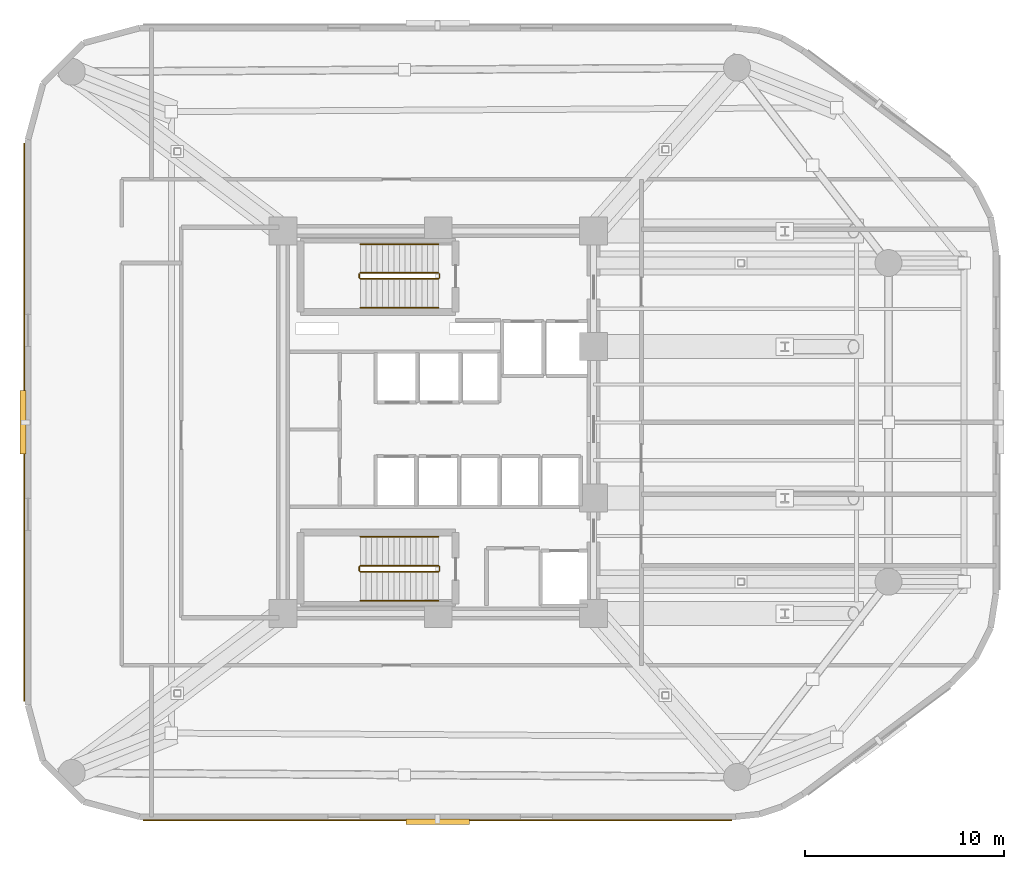
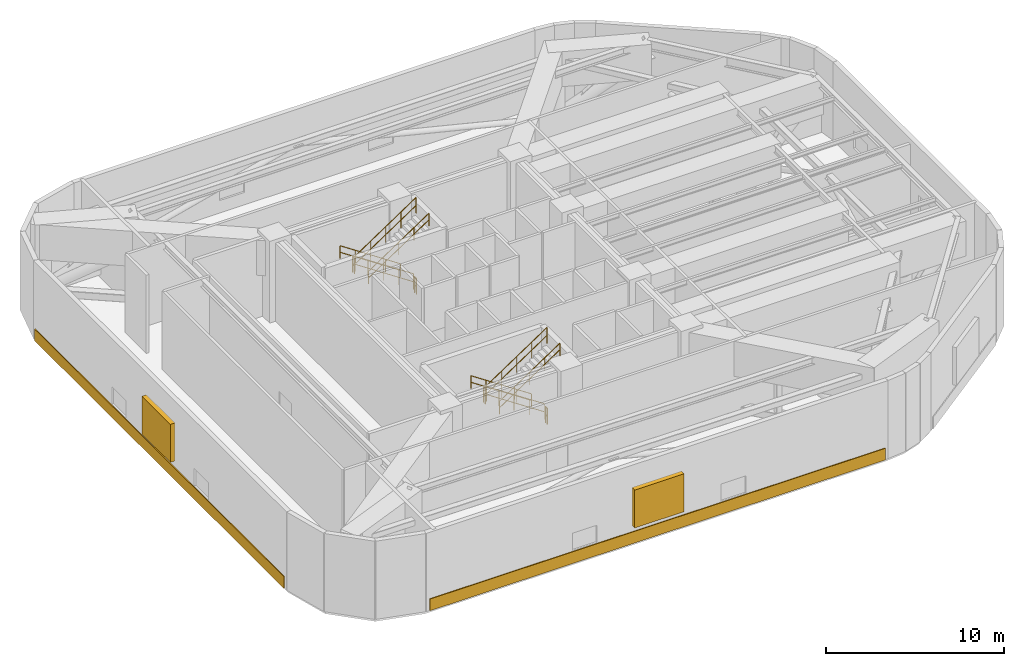
# One storey, part 9 of 10: 12 railings, 2 coverings, 2 shading devices.
"""IFC4 building model written with IfcOpenShell, lengths in metres."""

from ifc_helpers import new_model, si_unit, direction, frame, origin, origin_2d, place, context, subcontext, project, spatial, rectangle, circle, extrude, material, layer, layer_set, type_object, element, save


model = new_model("IFC4")

# Units and contexts
model_context = context("Model", 3, precision=1e-05, world=origin(), true_north=direction((0.0, 1.0)))
body_context = subcontext(model_context, "Body", "Model", "MODEL_VIEW")
ifc_project = project(units=[si_unit("LENGTHUNIT", "METRE"), si_unit("AREAUNIT", "SQUARE_METRE"), si_unit("VOLUMEUNIT", "CUBIC_METRE"), si_unit("PLANEANGLEUNIT", "RADIAN"), si_unit("MASSUNIT", "GRAM", prefix="KILO")], contexts=[model_context])

# Site, building, storey
site_placement = place(None, origin())
site = spatial("IfcSite", under=ifc_project, at=site_placement, CompositionType="ELEMENT")
building_placement = place(site_placement, origin())
building = spatial("IfcBuilding", under=site, at=building_placement, Name="An Khanh Terracotta Commons", CompositionType="ELEMENT")
storey_placement = place(building_placement, frame((0.0, 0.0, 133.10009765625)))
storey = spatial("IfcBuildingStorey", under=building, at=storey_placement, Name="L35", CompositionType="ELEMENT", Elevation=133.10009765625)

# Shading devices
ifc_material_1 = material(Name="Anodised Aluminium 6063-T6", Category="aluminium")
shading_device_type = type_object("IfcShadingDeviceType", Name="Acoustic Plant Weather Louvre", PredefinedType="USERDEFINED", material=ifc_material_1)
for number, where, z_axis, x_axis, name in (
    (1, (29.365966796875, 3.949951171875, 1.199951171875), (0.0, 0.0, 1.0), (1.0, 0.0, 0.0), "L35 Refuge Acoustic Louvre 4"),
    (2, (8.550048828125, 24.0, 1.199951171875), (0.0, 0.0, 1.0), (0.0, -1.0, 0.0), "L35 Refuge Acoustic Louvre 24"),
):
    element("IfcShadingDevice", number, at=place(storey_placement, frame(where, z_axis=z_axis, x_axis=x_axis)), inside=storey, type_object=shading_device_type, Name=name, ObjectType="LOUVRE", PredefinedType="USERDEFINED", context=body_context, shape_type="SweptSolid", body=[
        extrude(rectangle(XDim=3.199951171875, YDim=0.300048828125, at=origin_2d()), origin(), (0.0, 0.0, 1.0), 2.60009765625),
    ])

# Coverings
ifc_material_2 = material(Name="Fired Terracotta Rainscreen Cladding", Category="masonry")
ifc_layer = layer(ifc_material_2, 0.06005859375, Name="Fired Terracotta Rainscreen Cladding")
ifc_layer_set = layer_set([ifc_layer], Name="Fired Terracotta Rainscreen Cladding")
covering_type = type_object("IfcCoveringType", Name="COV-SPANDREL-TERRA", PredefinedType="CLADDING", material=ifc_layer_set)
covering_1_placement = place(storey_placement, frame((29.365966796875, 4.02001953125, 0.02001953125), z_axis=(0.0, 0.0, 1.0), x_axis=(1.0, 0.0, 0.0)))
element("IfcCovering", 3, at=covering_1_placement, inside=storey, type_object=covering_type, Name="L35 Terracotta Spandrel Cladding 4", PredefinedType="CLADDING", context=body_context, shape_type="SweptSolid", body=[
    extrude(rectangle(XDim=29.532958984375, YDim=0.06005859375, at=origin_2d()), origin(), (0.0, 0.0, 1.0), 0.800048828125),
])
covering_2_placement = place(storey_placement, frame((8.6201171875, 24.0, 0.02001953125), z_axis=(0.0, 0.0, 1.0), x_axis=(0.0, -1.0, 0.0)))
element("IfcCovering", 4, at=covering_2_placement, inside=storey, type_object=covering_type, Name="L35 Terracotta Spandrel Cladding 24", PredefinedType="CLADDING", context=body_context, shape_type="SweptSolid", body=[
    extrude(rectangle(XDim=28.0, YDim=0.06005859375, at=origin_2d()), origin(), (0.0, 0.0, 1.0), 0.800048828125),
])

# Railings
ifc_material_3 = material(Name="Brushed Stainless Steel 316", Category="steel")
railing_type_1 = type_object("IfcRailingType", Name="RAIL-HANDRAIL-900", PredefinedType="HANDRAIL", material=ifc_material_3)
railing_1_placement = place(storey_placement, frame((29.409912109375, 32.949951171875, 0.1865234375)))
element("IfcRailing", 5, at=railing_1_placement, inside=storey, type_object=railing_type_1, Name="L35 ST-01 stair handrail 1", PredefinedType="HANDRAIL", context=body_context, shape_type="SweptSolid", body=[
    extrude(circle(Radius=0.02392578125, at=origin_2d()), frame((0.0, 0.0, 0.8759765625), z_axis=(-0.832050294338, 0.0, 0.554700196225), x_axis=(0.0, -1.0, 0.0)), (0.0, 0.0, 1.0), 4.711181640625),
    extrude(circle(Radius=0.02392578125, at=origin_2d()), frame((0.0, 0.0, 0.42578125), z_axis=(-0.832050294338, 0.0, 0.554700196225), x_axis=(0.0, -1.0, 0.0)), (0.0, 0.0, 1.0), 4.711181640625),
    extrude(circle(Radius=0.02099609375, at=origin_2d()), origin(), (0.0, 0.0, 1.0), 0.851806640625),
    extrude(circle(Radius=0.02099609375, at=origin_2d()), frame((-0.97998046875, 0.0, 0.6533203125)), (0.0, 0.0, 1.0), 0.851806640625),
    extrude(circle(Radius=0.02099609375, at=origin_2d()), frame((-1.9599609375, 0.0, 1.306640625)), (0.0, 0.0, 1.0), 0.851806640625),
    extrude(circle(Radius=0.02099609375, at=origin_2d()), frame((-2.93994140625, 0.0, 1.9599609375)), (0.0, 0.0, 1.0), 0.851806640625),
    extrude(circle(Radius=0.02099609375, at=origin_2d()), frame((-3.919921875, 0.0, 2.61328125)), (0.0, 0.0, 1.0), 0.851806640625),
])
railing_2_placement = place(storey_placement, frame((25.489990234375, 29.75, 2.986572265625)))
element("IfcRailing", 6, at=railing_2_placement, inside=storey, type_object=railing_type_1, Name="L35 ST-01 stair handrail 2", PredefinedType="HANDRAIL", context=body_context, shape_type="SweptSolid", body=[
    extrude(circle(Radius=0.02392578125, at=origin_2d()), frame((0.0, 0.0, 0.8759765625), z_axis=(0.832050294338, 0.0, 0.554700196225), x_axis=(0.0, 1.0, 0.0)), (0.0, 0.0, 1.0), 4.711181640625),
    extrude(circle(Radius=0.02392578125, at=origin_2d()), frame((0.0, 0.0, 0.42578125), z_axis=(0.832050294338, 0.0, 0.554700196225), x_axis=(0.0, 1.0, 0.0)), (0.0, 0.0, 1.0), 4.711181640625),
    extrude(circle(Radius=0.02099609375, at=origin_2d()), origin(), (0.0, 0.0, 1.0), 0.851806640625),
    extrude(circle(Radius=0.02099609375, at=origin_2d()), frame((0.97998046875, 0.0, 0.6533203125)), (0.0, 0.0, 1.0), 0.851806640625),
    extrude(circle(Radius=0.02099609375, at=origin_2d()), frame((1.9599609375, 0.0, 1.306640625)), (0.0, 0.0, 1.0), 0.851806640625),
    extrude(circle(Radius=0.02099609375, at=origin_2d()), frame((2.93994140625, 0.0, 1.9599609375)), (0.0, 0.0, 1.0), 0.851806640625),
    extrude(circle(Radius=0.02099609375, at=origin_2d()), frame((3.919921875, 0.0, 2.61328125)), (0.0, 0.0, 1.0), 0.851806640625),
])
railing_3_placement = place(storey_placement, frame((29.409912109375, 18.25, 0.1865234375)))
element("IfcRailing", 7, at=railing_3_placement, inside=storey, type_object=railing_type_1, Name="L35 ST-02 stair handrail 1", PredefinedType="HANDRAIL", context=body_context, shape_type="SweptSolid", body=[
    extrude(circle(Radius=0.02392578125, at=origin_2d()), frame((0.0, 0.0, 0.8759765625), z_axis=(-0.832050294338, 0.0, 0.554700196225), x_axis=(0.0, -1.0, 0.0)), (0.0, 0.0, 1.0), 4.711181640625),
    extrude(circle(Radius=0.02392578125, at=origin_2d()), frame((0.0, 0.0, 0.42578125), z_axis=(-0.832050294338, 0.0, 0.554700196225), x_axis=(0.0, -1.0, 0.0)), (0.0, 0.0, 1.0), 4.711181640625),
    extrude(circle(Radius=0.02099609375, at=origin_2d()), origin(), (0.0, 0.0, 1.0), 0.851806640625),
    extrude(circle(Radius=0.02099609375, at=origin_2d()), frame((-0.97998046875, 0.0, 0.6533203125)), (0.0, 0.0, 1.0), 0.851806640625),
    extrude(circle(Radius=0.02099609375, at=origin_2d()), frame((-1.9599609375, 0.0, 1.306640625)), (0.0, 0.0, 1.0), 0.851806640625),
    extrude(circle(Radius=0.02099609375, at=origin_2d()), frame((-2.93994140625, 0.0, 1.9599609375)), (0.0, 0.0, 1.0), 0.851806640625),
    extrude(circle(Radius=0.02099609375, at=origin_2d()), frame((-3.919921875, 0.0, 2.61328125)), (0.0, 0.0, 1.0), 0.851806640625),
])
railing_4_placement = place(storey_placement, frame((25.489990234375, 15.050048828125, 2.986572265625)))
element("IfcRailing", 8, at=railing_4_placement, inside=storey, type_object=railing_type_1, Name="L35 ST-02 stair handrail 2", PredefinedType="HANDRAIL", context=body_context, shape_type="SweptSolid", body=[
    extrude(circle(Radius=0.02392578125, at=origin_2d()), frame((0.0, 0.0, 0.8759765625), z_axis=(0.832050294338, 0.0, 0.554700196225), x_axis=(0.0, 1.0, 0.0)), (0.0, 0.0, 1.0), 4.711181640625),
    extrude(circle(Radius=0.02392578125, at=origin_2d()), frame((0.0, 0.0, 0.42578125), z_axis=(0.832050294338, 0.0, 0.554700196225), x_axis=(0.0, 1.0, 0.0)), (0.0, 0.0, 1.0), 4.711181640625),
    extrude(circle(Radius=0.02099609375, at=origin_2d()), origin(), (0.0, 0.0, 1.0), 0.851806640625),
    extrude(circle(Radius=0.02099609375, at=origin_2d()), frame((0.97998046875, 0.0, 0.6533203125)), (0.0, 0.0, 1.0), 0.851806640625),
    extrude(circle(Radius=0.02099609375, at=origin_2d()), frame((1.9599609375, 0.0, 1.306640625)), (0.0, 0.0, 1.0), 0.851806640625),
    extrude(circle(Radius=0.02099609375, at=origin_2d()), frame((2.93994140625, 0.0, 1.9599609375)), (0.0, 0.0, 1.0), 0.851806640625),
    extrude(circle(Radius=0.02099609375, at=origin_2d()), frame((3.919921875, 0.0, 2.61328125)), (0.0, 0.0, 1.0), 0.851806640625),
])
ifc_material_4 = material(Name="Powder-Coated Steel S355J2", Category="steel")
railing_type_2 = type_object("IfcRailingType", Name="RAIL-STAIR-GUARD-1100", PredefinedType="BALUSTRADE", material=ifc_material_4)
railing_5_placement = place(storey_placement, frame((29.409912109375, 31.5, 0.1865234375)))
element("IfcRailing", 9, at=railing_5_placement, inside=storey, type_object=railing_type_2, Name="L35 ST-01 stair guard 1", PredefinedType="BALUSTRADE", context=body_context, shape_type="SweptSolid", body=[
    extrude(circle(Radius=0.02392578125, at=origin_2d()), frame((0.0, 0.0, 1.076171875), z_axis=(-0.832050294338, 0.0, 0.554700196225), x_axis=(0.0, -1.0, 0.0)), (0.0, 0.0, 1.0), 4.711181640625),
    extrude(circle(Radius=0.02392578125, at=origin_2d()), frame((0.0, 0.0, 0.52587890625), z_axis=(-0.832050294338, 0.0, 0.554700196225), x_axis=(0.0, -1.0, 0.0)), (0.0, 0.0, 1.0), 4.711181640625),
    extrude(circle(Radius=0.02099609375, at=origin_2d()), origin(), (0.0, 0.0, 1.0), 1.052001953125),
    extrude(circle(Radius=0.02099609375, at=origin_2d()), frame((-0.97998046875, 0.0, 0.6533203125)), (0.0, 0.0, 1.0), 1.052001953125),
    extrude(circle(Radius=0.02099609375, at=origin_2d()), frame((-1.9599609375, 0.0, 1.306640625)), (0.0, 0.0, 1.0), 1.052001953125),
    extrude(circle(Radius=0.02099609375, at=origin_2d()), frame((-2.93994140625, 0.0, 1.9599609375)), (0.0, 0.0, 1.0), 1.052001953125),
    extrude(circle(Radius=0.02099609375, at=origin_2d()), frame((-3.919921875, 0.0, 2.61328125)), (0.0, 0.0, 1.0), 1.052001953125),
])
railing_6_placement = place(storey_placement, frame((25.43994140625, 31.449951171875, 2.7998046875)))
element("IfcRailing", 10, at=railing_6_placement, inside=storey, type_object=railing_type_2, Name="L35 ST-01 stair guard 2", PredefinedType="BALUSTRADE", context=body_context, shape_type="SweptSolid", body=[
    extrude(circle(Radius=0.02392578125, at=origin_2d()), frame((0.0, 0.0, 1.076171875), z_axis=(0.0, -1.0, 0.0), x_axis=(1.0, 0.0, 0.0)), (0.0, 0.0, 1.0), 0.199951171875),
    extrude(circle(Radius=0.02392578125, at=origin_2d()), frame((0.0, 0.0, 0.52587890625), z_axis=(0.0, -1.0, 0.0), x_axis=(1.0, 0.0, 0.0)), (0.0, 0.0, 1.0), 0.199951171875),
    extrude(circle(Radius=0.02099609375, at=origin_2d()), origin(), (0.0, 0.0, 1.0), 1.052001953125),
    extrude(circle(Radius=0.02099609375, at=origin_2d()), frame((0.0, -0.199951171875, 0.0)), (0.0, 0.0, 1.0), 1.052001953125),
])
railing_7_placement = place(storey_placement, frame((25.489990234375, 31.199951171875, 2.986572265625)))
element("IfcRailing", 11, at=railing_7_placement, inside=storey, type_object=railing_type_2, Name="L35 ST-01 stair guard 3", PredefinedType="BALUSTRADE", context=body_context, shape_type="SweptSolid", body=[
    extrude(circle(Radius=0.02392578125, at=origin_2d()), frame((0.0, 0.0, 1.076171875), z_axis=(0.832050294338, 0.0, 0.554700196225), x_axis=(0.0, 1.0, 0.0)), (0.0, 0.0, 1.0), 4.711181640625),
    extrude(circle(Radius=0.02392578125, at=origin_2d()), frame((0.0, 0.0, 0.52587890625), z_axis=(0.832050294338, 0.0, 0.554700196225), x_axis=(0.0, 1.0, 0.0)), (0.0, 0.0, 1.0), 4.711181640625),
    extrude(circle(Radius=0.02099609375, at=origin_2d()), origin(), (0.0, 0.0, 1.0), 1.052001953125),
    extrude(circle(Radius=0.02099609375, at=origin_2d()), frame((0.97998046875, 0.0, 0.6533203125)), (0.0, 0.0, 1.0), 1.052001953125),
    extrude(circle(Radius=0.02099609375, at=origin_2d()), frame((1.9599609375, 0.0, 1.306640625)), (0.0, 0.0, 1.0), 1.052001953125),
    extrude(circle(Radius=0.02099609375, at=origin_2d()), frame((2.93994140625, 0.0, 1.9599609375)), (0.0, 0.0, 1.0), 1.052001953125),
    extrude(circle(Radius=0.02099609375, at=origin_2d()), frame((3.919921875, 0.0, 2.61328125)), (0.0, 0.0, 1.0), 1.052001953125),
])
railing_8_placement = place(storey_placement, frame((29.4599609375, 31.449951171875, 0.0)))
element("IfcRailing", 12, at=railing_8_placement, inside=storey, type_object=railing_type_2, Name="L35 ST-01 stair guard 4", PredefinedType="BALUSTRADE", context=body_context, shape_type="SweptSolid", body=[
    extrude(circle(Radius=0.02392578125, at=origin_2d()), frame((0.0, 0.0, 1.076171875), z_axis=(0.0, -1.0, 0.0), x_axis=(1.0, 0.0, 0.0)), (0.0, 0.0, 1.0), 0.199951171875),
    extrude(circle(Radius=0.02392578125, at=origin_2d()), frame((0.0, 0.0, 0.52587890625), z_axis=(0.0, -1.0, 0.0), x_axis=(1.0, 0.0, 0.0)), (0.0, 0.0, 1.0), 0.199951171875),
    extrude(circle(Radius=0.02099609375, at=origin_2d()), origin(), (0.0, 0.0, 1.0), 1.052001953125),
    extrude(circle(Radius=0.02099609375, at=origin_2d()), frame((0.0, -0.199951171875, 0.0)), (0.0, 0.0, 1.0), 1.052001953125),
])
railing_9_placement = place(storey_placement, frame((29.409912109375, 16.800048828125, 0.1865234375)))
element("IfcRailing", 13, at=railing_9_placement, inside=storey, type_object=railing_type_2, Name="L35 ST-02 stair guard 1", PredefinedType="BALUSTRADE", context=body_context, shape_type="SweptSolid", body=[
    extrude(circle(Radius=0.02392578125, at=origin_2d()), frame((0.0, 0.0, 1.076171875), z_axis=(-0.832050294338, 0.0, 0.554700196225), x_axis=(0.0, -1.0, 0.0)), (0.0, 0.0, 1.0), 4.711181640625),
    extrude(circle(Radius=0.02392578125, at=origin_2d()), frame((0.0, 0.0, 0.52587890625), z_axis=(-0.832050294338, 0.0, 0.554700196225), x_axis=(0.0, -1.0, 0.0)), (0.0, 0.0, 1.0), 4.711181640625),
    extrude(circle(Radius=0.02099609375, at=origin_2d()), origin(), (0.0, 0.0, 1.0), 1.052001953125),
    extrude(circle(Radius=0.02099609375, at=origin_2d()), frame((-0.97998046875, 0.0, 0.6533203125)), (0.0, 0.0, 1.0), 1.052001953125),
    extrude(circle(Radius=0.02099609375, at=origin_2d()), frame((-1.9599609375, 0.0, 1.306640625)), (0.0, 0.0, 1.0), 1.052001953125),
    extrude(circle(Radius=0.02099609375, at=origin_2d()), frame((-2.93994140625, 0.0, 1.9599609375)), (0.0, 0.0, 1.0), 1.052001953125),
    extrude(circle(Radius=0.02099609375, at=origin_2d()), frame((-3.919921875, 0.0, 2.61328125)), (0.0, 0.0, 1.0), 1.052001953125),
])
railing_10_placement = place(storey_placement, frame((25.43994140625, 16.75, 2.7998046875)))
element("IfcRailing", 14, at=railing_10_placement, inside=storey, type_object=railing_type_2, Name="L35 ST-02 stair guard 2", PredefinedType="BALUSTRADE", context=body_context, shape_type="SweptSolid", body=[
    extrude(circle(Radius=0.02392578125, at=origin_2d()), frame((0.0, 0.0, 1.076171875), z_axis=(0.0, -1.0, 0.0), x_axis=(1.0, 0.0, 0.0)), (0.0, 0.0, 1.0), 0.199951171875),
    extrude(circle(Radius=0.02392578125, at=origin_2d()), frame((0.0, 0.0, 0.52587890625), z_axis=(0.0, -1.0, 0.0), x_axis=(1.0, 0.0, 0.0)), (0.0, 0.0, 1.0), 0.199951171875),
    extrude(circle(Radius=0.02099609375, at=origin_2d()), origin(), (0.0, 0.0, 1.0), 1.052001953125),
    extrude(circle(Radius=0.02099609375, at=origin_2d()), frame((0.0, -0.199951171875, 0.0)), (0.0, 0.0, 1.0), 1.052001953125),
])
railing_11_placement = place(storey_placement, frame((25.489990234375, 16.5, 2.986572265625)))
element("IfcRailing", 15, at=railing_11_placement, inside=storey, type_object=railing_type_2, Name="L35 ST-02 stair guard 3", PredefinedType="BALUSTRADE", context=body_context, shape_type="SweptSolid", body=[
    extrude(circle(Radius=0.02392578125, at=origin_2d()), frame((0.0, 0.0, 1.076171875), z_axis=(0.832050294338, 0.0, 0.554700196225), x_axis=(0.0, 1.0, 0.0)), (0.0, 0.0, 1.0), 4.711181640625),
    extrude(circle(Radius=0.02392578125, at=origin_2d()), frame((0.0, 0.0, 0.52587890625), z_axis=(0.832050294338, 0.0, 0.554700196225), x_axis=(0.0, 1.0, 0.0)), (0.0, 0.0, 1.0), 4.711181640625),
    extrude(circle(Radius=0.02099609375, at=origin_2d()), origin(), (0.0, 0.0, 1.0), 1.052001953125),
    extrude(circle(Radius=0.02099609375, at=origin_2d()), frame((0.97998046875, 0.0, 0.6533203125)), (0.0, 0.0, 1.0), 1.052001953125),
    extrude(circle(Radius=0.02099609375, at=origin_2d()), frame((1.9599609375, 0.0, 1.306640625)), (0.0, 0.0, 1.0), 1.052001953125),
    extrude(circle(Radius=0.02099609375, at=origin_2d()), frame((2.93994140625, 0.0, 1.9599609375)), (0.0, 0.0, 1.0), 1.052001953125),
    extrude(circle(Radius=0.02099609375, at=origin_2d()), frame((3.919921875, 0.0, 2.61328125)), (0.0, 0.0, 1.0), 1.052001953125),
])
railing_12_placement = place(storey_placement, frame((29.4599609375, 16.75, 0.0)))
element("IfcRailing", 16, at=railing_12_placement, inside=storey, type_object=railing_type_2, Name="L35 ST-02 stair guard 4", PredefinedType="BALUSTRADE", context=body_context, shape_type="SweptSolid", body=[
    extrude(circle(Radius=0.02392578125, at=origin_2d()), frame((0.0, 0.0, 1.076171875), z_axis=(0.0, -1.0, 0.0), x_axis=(1.0, 0.0, 0.0)), (0.0, 0.0, 1.0), 0.199951171875),
    extrude(circle(Radius=0.02392578125, at=origin_2d()), frame((0.0, 0.0, 0.52587890625), z_axis=(0.0, -1.0, 0.0), x_axis=(1.0, 0.0, 0.0)), (0.0, 0.0, 1.0), 0.199951171875),
    extrude(circle(Radius=0.02099609375, at=origin_2d()), origin(), (0.0, 0.0, 1.0), 1.052001953125),
    extrude(circle(Radius=0.02099609375, at=origin_2d()), frame((0.0, -0.199951171875, 0.0)), (0.0, 0.0, 1.0), 1.052001953125),
])

save(model, "model.ifc")
